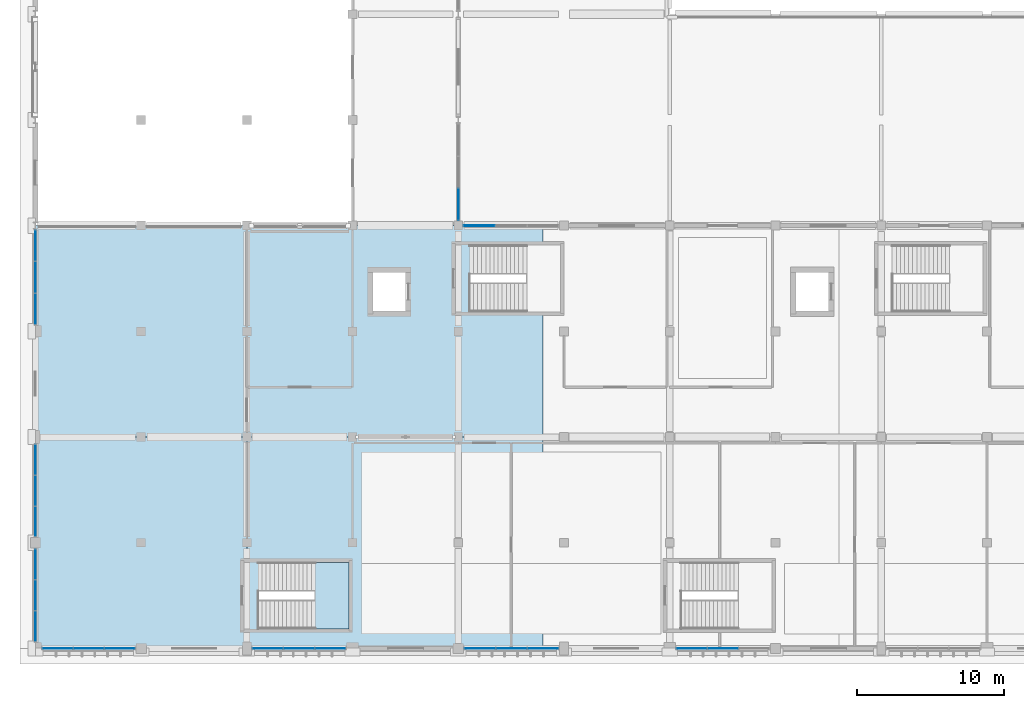
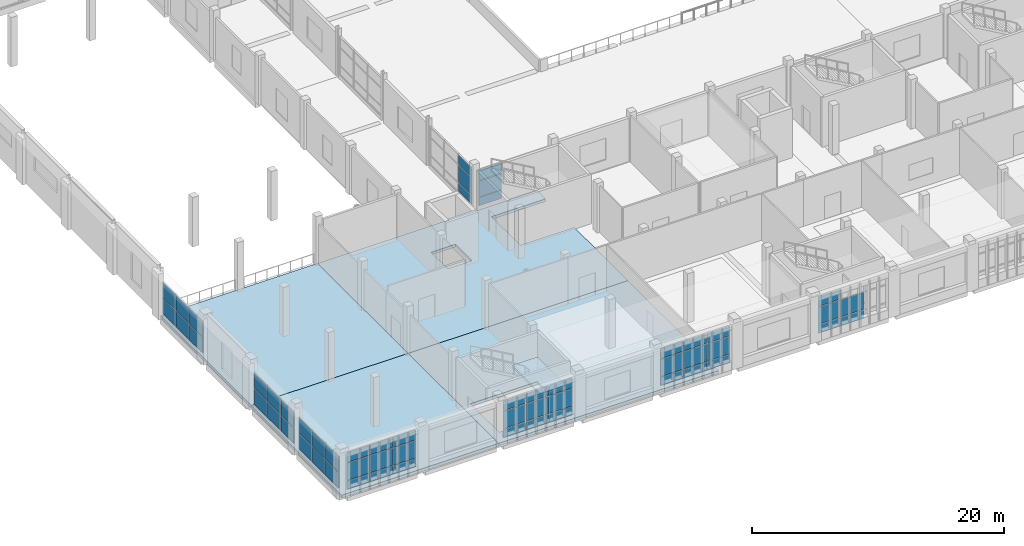
# One storey, part 45 of 82: 56 plates, 5 slabs, 10 elements without a shape of their own.
"""IFC4 building model written with IfcOpenShell, lengths in metres."""

from ifc_helpers import new_model, si_unit, direction, frame, origin, origin_2d, place, context, subcontext, project, spatial, polyline, rectangle, outline, extrude, material, layer, layer_set, type_object, element, aggregate, save


model = new_model("IFC4")

# Units and contexts
model_context = context("Model", 3, precision=1e-05, world=origin(), true_north=direction((0.0, 1.0)))
body_context = subcontext(model_context, "Body", "Model", "MODEL_VIEW")
ifc_project = project(units=[si_unit("LENGTHUNIT", "METRE"), si_unit("AREAUNIT", "SQUARE_METRE"), si_unit("VOLUMEUNIT", "CUBIC_METRE"), si_unit("PLANEANGLEUNIT", "RADIAN"), si_unit("MASSUNIT", "GRAM", prefix="KILO")], contexts=[model_context])

# Site, building, storey
site_placement = place(None, origin())
site = spatial("IfcSite", under=ifc_project, at=site_placement, CompositionType="ELEMENT")
building_placement = place(site_placement, origin())
building = spatial("IfcBuilding", under=site, at=building_placement, Name="Sardonyx Promenade Sports Hall", CompositionType="ELEMENT")
storey_placement = place(building_placement, frame((0.0, 0.0, 11.199951171875)))
storey = spatial("IfcBuildingStorey", under=building, at=storey_placement, Name="L02", CompositionType="ELEMENT", Elevation=11.199951171875)

# Curtain wall, plates
ifc_material_1 = material(Name="Aluminium 6063-T6", Category="aluminium")
curtain_wall_type_1 = type_object("IfcCurtainWallType", Name="CW_South_L02_640", PredefinedType="USERDEFINED", material=ifc_material_1)
curtain_wall_1_placement = place(storey_placement, origin())
curtain_wall_1 = element("IfcCurtainWall", 1, at=curtain_wall_1_placement, inside=storey, type_object=curtain_wall_type_1, Name="Curtain wall CW01 cw:L02:037", ObjectType="CURTAIN WALL", PredefinedType="USERDEFINED")
ifc_material_2 = material(Name="Double-glazed solar low-E IGU 28 mm", Category="glass")
ifc_layer_1 = layer(ifc_material_2, 0.028076171875)
ifc_layer_set_1 = layer_set([ifc_layer_1], Name="CW_Pan_Glz_28")
plate_type_1 = type_object("IfcPlateType", Name="CW_Pan_Glz_28", PredefinedType="CURTAIN_PANEL", material=ifc_layer_set_1)
plate_1_placement = place(storey_placement, frame((46.824951171875, 0.0, 0.4150390625), z_axis=(0.0, 0.0, 1.0), x_axis=(-1.0, 0.0, 0.0)))
plate_1 = element("IfcPlate", 2, at=plate_1_placement, type_object=plate_type_1, Name="Curtain panel CP01 cw:L02:037 #4", PredefinedType="CURTAIN_PANEL", context=body_context, shape_type="SweptSolid", body=[
    extrude(rectangle(XDim=2.050048828125, YDim=0.028076171875, at=origin_2d()), origin(), (0.0, 0.0, 1.0), 0.802490234375),
])
plate_2_placement = place(storey_placement, frame((46.824951171875, 0.0, 1.282470703125), z_axis=(0.0, 0.0, 1.0), x_axis=(-1.0, 0.0, 0.0)))
plate_2 = element("IfcPlate", 3, at=plate_2_placement, type_object=plate_type_1, Name="Curtain panel CP01 cw:L02:037 #5", PredefinedType="CURTAIN_PANEL", context=body_context, shape_type="SweptSolid", body=[
    extrude(rectangle(XDim=2.050048828125, YDim=0.028076171875, at=origin_2d()), origin(), (0.0, 0.0, 1.0), 1.68505859375),
])
plate_3_placement = place(storey_placement, frame((44.7099609375, 0.0, 0.4150390625), z_axis=(0.0, 0.0, 1.0), x_axis=(-1.0, 0.0, 0.0)))
plate_3 = element("IfcPlate", 4, at=plate_3_placement, type_object=plate_type_1, Name="Curtain panel CP01 cw:L02:037 #7", PredefinedType="CURTAIN_PANEL", context=body_context, shape_type="SweptSolid", body=[
    extrude(rectangle(XDim=2.050048828125, YDim=0.028076171875, at=origin_2d()), origin(), (0.0, 0.0, 1.0), 0.802490234375),
])
plate_4_placement = place(storey_placement, frame((44.7099609375, 0.0, 1.282470703125), z_axis=(0.0, 0.0, 1.0), x_axis=(-1.0, 0.0, 0.0)))
plate_4 = element("IfcPlate", 5, at=plate_4_placement, type_object=plate_type_1, Name="Curtain panel CP01 cw:L02:037 #8", PredefinedType="CURTAIN_PANEL", context=body_context, shape_type="SweptSolid", body=[
    extrude(rectangle(XDim=2.050048828125, YDim=0.028076171875, at=origin_2d()), origin(), (0.0, 0.0, 1.0), 1.68505859375),
])
plate_5_placement = place(storey_placement, frame((44.7099609375, 0.0, 3.03271484375), z_axis=(0.0, 0.0, 1.0), x_axis=(-1.0, 0.0, 0.0)))
plate_5 = element("IfcPlate", 6, at=plate_5_placement, type_object=plate_type_1, Name="Curtain panel CP01 cw:L02:037 #9", PredefinedType="CURTAIN_PANEL", context=body_context, shape_type="SweptSolid", body=[
    extrude(rectangle(XDim=2.050048828125, YDim=0.028076171875, at=origin_2d()), origin(), (0.0, 0.0, 1.0), 0.952392578125),
])
aggregate(curtain_wall_1, [plate_1, plate_2, plate_3, plate_4, plate_5])

curtain_wall_2_placement = place(storey_placement, origin())
curtain_wall_2 = element("IfcCurtainWall", 7, at=curtain_wall_2_placement, inside=storey, type_object=curtain_wall_type_1, Name="Curtain wall CW01 cw:L02:038", ObjectType="CURTAIN WALL", PredefinedType="USERDEFINED")
plate_6_placement = place(storey_placement, frame((34.5732421875, 0.0, 0.4150390625), z_axis=(0.0, 0.0, 1.0), x_axis=(-1.0, 0.0, 0.0)))
plate_6 = element("IfcPlate", 8, at=plate_6_placement, type_object=plate_type_1, Name="Curtain panel CP01 cw:L02:038 #1", PredefinedType="CURTAIN_PANEL", context=body_context, shape_type="SweptSolid", body=[
    extrude(rectangle(XDim=2.083251953125, YDim=0.028076171875, at=origin_2d()), origin(), (0.0, 0.0, 1.0), 0.802490234375),
])
plate_7_placement = place(storey_placement, frame((34.5732421875, 0.0, 1.282470703125), z_axis=(0.0, 0.0, 1.0), x_axis=(-1.0, 0.0, 0.0)))
plate_7 = element("IfcPlate", 9, at=plate_7_placement, type_object=plate_type_1, Name="Curtain panel CP01 cw:L02:038 #2", PredefinedType="CURTAIN_PANEL", context=body_context, shape_type="SweptSolid", body=[
    extrude(rectangle(XDim=2.083251953125, YDim=0.028076171875, at=origin_2d()), origin(), (0.0, 0.0, 1.0), 1.68505859375),
])
plate_8_placement = place(storey_placement, frame((34.5732421875, 0.0, 3.03271484375), z_axis=(0.0, 0.0, 1.0), x_axis=(-1.0, 0.0, 0.0)))
plate_8 = element("IfcPlate", 10, at=plate_8_placement, type_object=plate_type_1, Name="Curtain panel CP01 cw:L02:038 #3", PredefinedType="CURTAIN_PANEL", context=body_context, shape_type="SweptSolid", body=[
    extrude(rectangle(XDim=2.083251953125, YDim=0.028076171875, at=origin_2d()), origin(), (0.0, 0.0, 1.0), 0.952392578125),
])
plate_9_placement = place(storey_placement, frame((32.425048828125, 0.0, 0.4150390625), z_axis=(0.0, 0.0, 1.0), x_axis=(-1.0, 0.0, 0.0)))
plate_9 = element("IfcPlate", 11, at=plate_9_placement, type_object=plate_type_1, Name="Curtain panel CP01 cw:L02:038 #4", PredefinedType="CURTAIN_PANEL", context=body_context, shape_type="SweptSolid", body=[
    extrude(rectangle(XDim=2.083251953125, YDim=0.028076171875, at=origin_2d()), origin(), (0.0, 0.0, 1.0), 0.802490234375),
])
plate_10_placement = place(storey_placement, frame((32.425048828125, 0.0, 1.282470703125), z_axis=(0.0, 0.0, 1.0), x_axis=(-1.0, 0.0, 0.0)))
plate_10 = element("IfcPlate", 12, at=plate_10_placement, type_object=plate_type_1, Name="Curtain panel CP01 cw:L02:038 #5", PredefinedType="CURTAIN_PANEL", context=body_context, shape_type="SweptSolid", body=[
    extrude(rectangle(XDim=2.083251953125, YDim=0.028076171875, at=origin_2d()), origin(), (0.0, 0.0, 1.0), 1.68505859375),
])
plate_11_placement = place(storey_placement, frame((32.425048828125, 0.0, 3.03271484375), z_axis=(0.0, 0.0, 1.0), x_axis=(-1.0, 0.0, 0.0)))
plate_11 = element("IfcPlate", 13, at=plate_11_placement, type_object=plate_type_1, Name="Curtain panel CP01 cw:L02:038 #6", PredefinedType="CURTAIN_PANEL", context=body_context, shape_type="SweptSolid", body=[
    extrude(rectangle(XDim=2.083251953125, YDim=0.028076171875, at=origin_2d()), origin(), (0.0, 0.0, 1.0), 0.952392578125),
])
plate_12_placement = place(storey_placement, frame((30.276611328125, 0.0, 0.4150390625), z_axis=(0.0, 0.0, 1.0), x_axis=(-1.0, 0.0, 0.0)))
plate_12 = element("IfcPlate", 14, at=plate_12_placement, type_object=plate_type_1, Name="Curtain panel CP01 cw:L02:038 #7", PredefinedType="CURTAIN_PANEL", context=body_context, shape_type="SweptSolid", body=[
    extrude(rectangle(XDim=2.083251953125, YDim=0.028076171875, at=origin_2d()), origin(), (0.0, 0.0, 1.0), 0.802490234375),
])
plate_13_placement = place(storey_placement, frame((30.276611328125, 0.0, 1.282470703125), z_axis=(0.0, 0.0, 1.0), x_axis=(-1.0, 0.0, 0.0)))
plate_13 = element("IfcPlate", 15, at=plate_13_placement, type_object=plate_type_1, Name="Curtain panel CP01 cw:L02:038 #8", PredefinedType="CURTAIN_PANEL", context=body_context, shape_type="SweptSolid", body=[
    extrude(rectangle(XDim=2.083251953125, YDim=0.028076171875, at=origin_2d()), origin(), (0.0, 0.0, 1.0), 1.68505859375),
])
plate_14_placement = place(storey_placement, frame((30.276611328125, 0.0, 3.03271484375), z_axis=(0.0, 0.0, 1.0), x_axis=(-1.0, 0.0, 0.0)))
plate_14 = element("IfcPlate", 16, at=plate_14_placement, type_object=plate_type_1, Name="Curtain panel CP01 cw:L02:038 #9", PredefinedType="CURTAIN_PANEL", context=body_context, shape_type="SweptSolid", body=[
    extrude(rectangle(XDim=2.083251953125, YDim=0.028076171875, at=origin_2d()), origin(), (0.0, 0.0, 1.0), 0.952392578125),
])
aggregate(curtain_wall_2, [plate_6, plate_7, plate_8, plate_9, plate_10, plate_11, plate_12, plate_13, plate_14])

curtain_wall_3_placement = place(storey_placement, origin())
curtain_wall_3 = element("IfcCurtainWall", 17, at=curtain_wall_3_placement, inside=storey, type_object=curtain_wall_type_1, Name="Curtain wall CW01 cw:L02:039", ObjectType="CURTAIN WALL", PredefinedType="USERDEFINED")
plate_15_placement = place(storey_placement, frame((20.081787109375, 0.0, 0.4150390625), z_axis=(0.0, 0.0, 1.0), x_axis=(-1.0, 0.0, 0.0)))
plate_15 = element("IfcPlate", 18, at=plate_15_placement, type_object=plate_type_1, Name="Curtain panel CP01 cw:L02:039 #1", PredefinedType="CURTAIN_PANEL", context=body_context, shape_type="SweptSolid", body=[
    extrude(rectangle(XDim=2.066650390625, YDim=0.028076171875, at=origin_2d()), origin(), (0.0, 0.0, 1.0), 0.802490234375),
])
plate_16_placement = place(storey_placement, frame((20.081787109375, 0.0, 1.282470703125), z_axis=(0.0, 0.0, 1.0), x_axis=(-1.0, 0.0, 0.0)))
plate_16 = element("IfcPlate", 19, at=plate_16_placement, type_object=plate_type_1, Name="Curtain panel CP01 cw:L02:039 #2", PredefinedType="CURTAIN_PANEL", context=body_context, shape_type="SweptSolid", body=[
    extrude(rectangle(XDim=2.066650390625, YDim=0.028076171875, at=origin_2d()), origin(), (0.0, 0.0, 1.0), 1.68505859375),
])
plate_17_placement = place(storey_placement, frame((20.081787109375, 0.0, 3.03271484375), z_axis=(0.0, 0.0, 1.0), x_axis=(-1.0, 0.0, 0.0)))
plate_17 = element("IfcPlate", 20, at=plate_17_placement, type_object=plate_type_1, Name="Curtain panel CP01 cw:L02:039 #3", PredefinedType="CURTAIN_PANEL", context=body_context, shape_type="SweptSolid", body=[
    extrude(rectangle(XDim=2.066650390625, YDim=0.028076171875, at=origin_2d()), origin(), (0.0, 0.0, 1.0), 0.952392578125),
])
plate_18_placement = place(storey_placement, frame((17.949951171875, 0.0, 0.4150390625), z_axis=(0.0, 0.0, 1.0), x_axis=(-1.0, 0.0, 0.0)))
plate_18 = element("IfcPlate", 21, at=plate_18_placement, type_object=plate_type_1, Name="Curtain panel CP01 cw:L02:039 #4", PredefinedType="CURTAIN_PANEL", context=body_context, shape_type="SweptSolid", body=[
    extrude(rectangle(XDim=2.066650390625, YDim=0.028076171875, at=origin_2d()), origin(), (0.0, 0.0, 1.0), 0.802490234375),
])
plate_19_placement = place(storey_placement, frame((17.949951171875, 0.0, 1.282470703125), z_axis=(0.0, 0.0, 1.0), x_axis=(-1.0, 0.0, 0.0)))
plate_19 = element("IfcPlate", 22, at=plate_19_placement, type_object=plate_type_1, Name="Curtain panel CP01 cw:L02:039 #5", PredefinedType="CURTAIN_PANEL", context=body_context, shape_type="SweptSolid", body=[
    extrude(rectangle(XDim=2.066650390625, YDim=0.028076171875, at=origin_2d()), origin(), (0.0, 0.0, 1.0), 1.68505859375),
])
plate_20_placement = place(storey_placement, frame((17.949951171875, 0.0, 3.03271484375), z_axis=(0.0, 0.0, 1.0), x_axis=(-1.0, 0.0, 0.0)))
plate_20 = element("IfcPlate", 23, at=plate_20_placement, type_object=plate_type_1, Name="Curtain panel CP01 cw:L02:039 #6", PredefinedType="CURTAIN_PANEL", context=body_context, shape_type="SweptSolid", body=[
    extrude(rectangle(XDim=2.066650390625, YDim=0.028076171875, at=origin_2d()), origin(), (0.0, 0.0, 1.0), 0.952392578125),
])
plate_21_placement = place(storey_placement, frame((15.818359375, 0.0, 0.4150390625), z_axis=(0.0, 0.0, 1.0), x_axis=(-1.0, 0.0, 0.0)))
plate_21 = element("IfcPlate", 24, at=plate_21_placement, type_object=plate_type_1, Name="Curtain panel CP01 cw:L02:039 #7", PredefinedType="CURTAIN_PANEL", context=body_context, shape_type="SweptSolid", body=[
    extrude(rectangle(XDim=2.066650390625, YDim=0.028076171875, at=origin_2d()), origin(), (0.0, 0.0, 1.0), 0.802490234375),
])
plate_22_placement = place(storey_placement, frame((15.818359375, 0.0, 1.282470703125), z_axis=(0.0, 0.0, 1.0), x_axis=(-1.0, 0.0, 0.0)))
plate_22 = element("IfcPlate", 25, at=plate_22_placement, type_object=plate_type_1, Name="Curtain panel CP01 cw:L02:039 #8", PredefinedType="CURTAIN_PANEL", context=body_context, shape_type="SweptSolid", body=[
    extrude(rectangle(XDim=2.066650390625, YDim=0.028076171875, at=origin_2d()), origin(), (0.0, 0.0, 1.0), 1.68505859375),
])
plate_23_placement = place(storey_placement, frame((15.818359375, 0.0, 3.03271484375), z_axis=(0.0, 0.0, 1.0), x_axis=(-1.0, 0.0, 0.0)))
plate_23 = element("IfcPlate", 26, at=plate_23_placement, type_object=plate_type_1, Name="Curtain panel CP01 cw:L02:039 #9", PredefinedType="CURTAIN_PANEL", context=body_context, shape_type="SweptSolid", body=[
    extrude(rectangle(XDim=2.066650390625, YDim=0.028076171875, at=origin_2d()), origin(), (0.0, 0.0, 1.0), 0.952392578125),
])
aggregate(curtain_wall_3, [plate_15, plate_16, plate_17, plate_18, plate_19, plate_20, plate_21, plate_22, plate_23])

curtain_wall_4_placement = place(storey_placement, origin())
curtain_wall_4 = element("IfcCurtainWall", 27, at=curtain_wall_4_placement, inside=storey, type_object=curtain_wall_type_1, Name="Curtain wall CW01 cw:L02:040", ObjectType="CURTAIN WALL", PredefinedType="USERDEFINED")
plate_24_placement = place(storey_placement, frame((5.739990234375, 0.0, 0.4150390625), z_axis=(0.0, 0.0, 1.0), x_axis=(-1.0, 0.0, 0.0)))
plate_24 = element("IfcPlate", 28, at=plate_24_placement, type_object=plate_type_1, Name="Curtain panel CP01 cw:L02:040 #1", PredefinedType="CURTAIN_PANEL", context=body_context, shape_type="SweptSolid", body=[
    extrude(rectangle(XDim=2.050048828125, YDim=0.028076171875, at=origin_2d()), origin(), (0.0, 0.0, 1.0), 0.802490234375),
])
plate_25_placement = place(storey_placement, frame((5.739990234375, 0.0, 1.282470703125), z_axis=(0.0, 0.0, 1.0), x_axis=(-1.0, 0.0, 0.0)))
plate_25 = element("IfcPlate", 29, at=plate_25_placement, type_object=plate_type_1, Name="Curtain panel CP01 cw:L02:040 #2", PredefinedType="CURTAIN_PANEL", context=body_context, shape_type="SweptSolid", body=[
    extrude(rectangle(XDim=2.050048828125, YDim=0.028076171875, at=origin_2d()), origin(), (0.0, 0.0, 1.0), 1.68505859375),
])
plate_26_placement = place(storey_placement, frame((5.739990234375, 0.0, 3.03271484375), z_axis=(0.0, 0.0, 1.0), x_axis=(-1.0, 0.0, 0.0)))
plate_26 = element("IfcPlate", 30, at=plate_26_placement, type_object=plate_type_1, Name="Curtain panel CP01 cw:L02:040 #3", PredefinedType="CURTAIN_PANEL", context=body_context, shape_type="SweptSolid", body=[
    extrude(rectangle(XDim=2.050048828125, YDim=0.028076171875, at=origin_2d()), origin(), (0.0, 0.0, 1.0), 0.952392578125),
])
plate_27_placement = place(storey_placement, frame((3.625, 0.0, 0.4150390625), z_axis=(0.0, 0.0, 1.0), x_axis=(-1.0, 0.0, 0.0)))
plate_27 = element("IfcPlate", 31, at=plate_27_placement, type_object=plate_type_1, Name="Curtain panel CP01 cw:L02:040 #4", PredefinedType="CURTAIN_PANEL", context=body_context, shape_type="SweptSolid", body=[
    extrude(rectangle(XDim=2.050048828125, YDim=0.028076171875, at=origin_2d()), origin(), (0.0, 0.0, 1.0), 0.802490234375),
])
plate_28_placement = place(storey_placement, frame((3.625, 0.0, 1.282470703125), z_axis=(0.0, 0.0, 1.0), x_axis=(-1.0, 0.0, 0.0)))
plate_28 = element("IfcPlate", 32, at=plate_28_placement, type_object=plate_type_1, Name="Curtain panel CP01 cw:L02:040 #5", PredefinedType="CURTAIN_PANEL", context=body_context, shape_type="SweptSolid", body=[
    extrude(rectangle(XDim=2.050048828125, YDim=0.028076171875, at=origin_2d()), origin(), (0.0, 0.0, 1.0), 1.68505859375),
])
plate_29_placement = place(storey_placement, frame((3.625, 0.0, 3.03271484375), z_axis=(0.0, 0.0, 1.0), x_axis=(-1.0, 0.0, 0.0)))
plate_29 = element("IfcPlate", 33, at=plate_29_placement, type_object=plate_type_1, Name="Curtain panel CP01 cw:L02:040 #6", PredefinedType="CURTAIN_PANEL", context=body_context, shape_type="SweptSolid", body=[
    extrude(rectangle(XDim=2.050048828125, YDim=0.028076171875, at=origin_2d()), origin(), (0.0, 0.0, 1.0), 0.952392578125),
])
plate_30_placement = place(storey_placement, frame((1.510009765625, 0.0, 0.4150390625), z_axis=(0.0, 0.0, 1.0), x_axis=(-1.0, 0.0, 0.0)))
plate_30 = element("IfcPlate", 34, at=plate_30_placement, type_object=plate_type_1, Name="Curtain panel CP01 cw:L02:040 #7", PredefinedType="CURTAIN_PANEL", context=body_context, shape_type="SweptSolid", body=[
    extrude(rectangle(XDim=2.050048828125, YDim=0.028076171875, at=origin_2d()), origin(), (0.0, 0.0, 1.0), 0.802490234375),
])
plate_31_placement = place(storey_placement, frame((1.510009765625, 0.0, 1.282470703125), z_axis=(0.0, 0.0, 1.0), x_axis=(-1.0, 0.0, 0.0)))
plate_31 = element("IfcPlate", 35, at=plate_31_placement, type_object=plate_type_1, Name="Curtain panel CP01 cw:L02:040 #8", PredefinedType="CURTAIN_PANEL", context=body_context, shape_type="SweptSolid", body=[
    extrude(rectangle(XDim=2.050048828125, YDim=0.028076171875, at=origin_2d()), origin(), (0.0, 0.0, 1.0), 1.68505859375),
])
plate_32_placement = place(storey_placement, frame((1.510009765625, 0.0, 3.03271484375), z_axis=(0.0, 0.0, 1.0), x_axis=(-1.0, 0.0, 0.0)))
plate_32 = element("IfcPlate", 36, at=plate_32_placement, type_object=plate_type_1, Name="Curtain panel CP01 cw:L02:040 #9", PredefinedType="CURTAIN_PANEL", context=body_context, shape_type="SweptSolid", body=[
    extrude(rectangle(XDim=2.050048828125, YDim=0.028076171875, at=origin_2d()), origin(), (0.0, 0.0, 1.0), 0.952392578125),
])
aggregate(curtain_wall_4, [plate_24, plate_25, plate_26, plate_27, plate_28, plate_29, plate_30, plate_31, plate_32])

curtain_wall_5_placement = place(storey_placement, origin())
curtain_wall_5 = element("IfcCurtainWall", 37, at=curtain_wall_5_placement, inside=storey, type_object=curtain_wall_type_1, Name="Curtain wall CW01 cw:L02:154", ObjectType="CURTAIN WALL", PredefinedType="USERDEFINED")
plate_33_placement = place(storey_placement, frame((28.800048828125, 30.248291015625, 0.4150390625), z_axis=(0.0, 0.0, 1.0), x_axis=(0.0, -1.0, 0.0)))
plate_33 = element("IfcPlate", 38, at=plate_33_placement, type_object=plate_type_1, Name="Curtain panel CP01 cw:L02:154 #7", PredefinedType="CURTAIN_PANEL", context=body_context, shape_type="SweptSolid", body=[
    extrude(rectangle(XDim=2.126708984375, YDim=0.028076171875, at=origin_2d()), origin(), (0.0, 0.0, 1.0), 0.802490234375),
])
plate_34_placement = place(storey_placement, frame((28.800048828125, 30.248291015625, 1.282470703125), z_axis=(0.0, 0.0, 1.0), x_axis=(0.0, -1.0, 0.0)))
plate_34 = element("IfcPlate", 39, at=plate_34_placement, type_object=plate_type_1, Name="Curtain panel CP01 cw:L02:154 #8", PredefinedType="CURTAIN_PANEL", context=body_context, shape_type="SweptSolid", body=[
    extrude(rectangle(XDim=2.126708984375, YDim=0.028076171875, at=origin_2d()), origin(), (0.0, 0.0, 1.0), 1.68505859375),
])
plate_35_placement = place(storey_placement, frame((28.800048828125, 30.248291015625, 3.03271484375), z_axis=(0.0, 0.0, 1.0), x_axis=(0.0, -1.0, 0.0)))
plate_35 = element("IfcPlate", 40, at=plate_35_placement, type_object=plate_type_1, Name="Curtain panel CP01 cw:L02:154 #9", PredefinedType="CURTAIN_PANEL", context=body_context, shape_type="SweptSolid", body=[
    extrude(rectangle(XDim=2.126708984375, YDim=0.028076171875, at=origin_2d()), origin(), (0.0, 0.0, 1.0), 0.952392578125),
])
aggregate(curtain_wall_5, [plate_33, plate_34, plate_35])

ifc_material_3 = material(Name="Aluminium 6063-T6", Category="aluminium")
curtain_wall_type_2 = type_object("IfcCurtainWallType", Name="CW_Climb_Clerestory", PredefinedType="USERDEFINED", material=ifc_material_3)
curtain_wall_6_placement = place(storey_placement, origin())
curtain_wall_6 = element("IfcCurtainWall", 41, at=curtain_wall_6_placement, inside=storey, type_object=curtain_wall_type_2, Name="Curtain wall CW12 cw:L02:066", ObjectType="CURTAIN WALL", PredefinedType="USERDEFINED")
ifc_material_4 = material(Name="Laminated safety sports IGU 36 mm", Category="glass")
ifc_layer_2 = layer(ifc_material_4, 0.035888671875)
ifc_layer_set_2 = layer_set([ifc_layer_2], Name="CW_Pan_Glz_36")
plate_type_2 = type_object("IfcPlateType", Name="CW_Pan_Glz_36", PredefinedType="CURTAIN_PANEL", material=ifc_layer_set_2)
plate_36_placement = place(storey_placement, frame((0.0, 1.510009765625, 0.4150390625), z_axis=(0.0, 0.0, 1.0), x_axis=(0.0, 1.0, 0.0)))
plate_36 = element("IfcPlate", 42, at=plate_36_placement, type_object=plate_type_2, Name="Curtain panel CP03 cw:L02:066 #1", PredefinedType="CURTAIN_PANEL", context=body_context, shape_type="SweptSolid", body=[
    extrude(rectangle(XDim=2.050048828125, YDim=0.035888671875, at=origin_2d()), origin(), (0.0, 0.0, 1.0), 1.50244140625),
])
plate_37_placement = place(storey_placement, frame((0.0, 1.510009765625, 1.982666015625), z_axis=(0.0, 0.0, 1.0), x_axis=(0.0, 1.0, 0.0)))
plate_37 = element("IfcPlate", 43, at=plate_37_placement, type_object=plate_type_2, Name="Curtain panel CP03 cw:L02:066 #2", PredefinedType="CURTAIN_PANEL", context=body_context, shape_type="SweptSolid", body=[
    extrude(rectangle(XDim=2.050048828125, YDim=0.035888671875, at=origin_2d()), origin(), (0.0, 0.0, 1.0), 1.50244140625),
])
plate_38_placement = place(storey_placement, frame((0.0, 3.625, 0.4150390625), z_axis=(0.0, 0.0, 1.0), x_axis=(0.0, 1.0, 0.0)))
plate_38 = element("IfcPlate", 44, at=plate_38_placement, type_object=plate_type_2, Name="Curtain panel CP03 cw:L02:066 #3", PredefinedType="CURTAIN_PANEL", context=body_context, shape_type="SweptSolid", body=[
    extrude(rectangle(XDim=2.050048828125, YDim=0.035888671875, at=origin_2d()), origin(), (0.0, 0.0, 1.0), 1.50244140625),
])
plate_39_placement = place(storey_placement, frame((0.0, 3.625, 1.982666015625), z_axis=(0.0, 0.0, 1.0), x_axis=(0.0, 1.0, 0.0)))
plate_39 = element("IfcPlate", 45, at=plate_39_placement, type_object=plate_type_2, Name="Curtain panel CP03 cw:L02:066 #4", PredefinedType="CURTAIN_PANEL", context=body_context, shape_type="SweptSolid", body=[
    extrude(rectangle(XDim=2.050048828125, YDim=0.035888671875, at=origin_2d()), origin(), (0.0, 0.0, 1.0), 1.50244140625),
])
plate_40_placement = place(storey_placement, frame((0.0, 5.739990234375, 0.4150390625), z_axis=(0.0, 0.0, 1.0), x_axis=(0.0, 1.0, 0.0)))
plate_40 = element("IfcPlate", 46, at=plate_40_placement, type_object=plate_type_2, Name="Curtain panel CP03 cw:L02:066 #5", PredefinedType="CURTAIN_PANEL", context=body_context, shape_type="SweptSolid", body=[
    extrude(rectangle(XDim=2.050048828125, YDim=0.035888671875, at=origin_2d()), origin(), (0.0, 0.0, 1.0), 1.50244140625),
])
plate_41_placement = place(storey_placement, frame((0.0, 5.739990234375, 1.982666015625), z_axis=(0.0, 0.0, 1.0), x_axis=(0.0, 1.0, 0.0)))
plate_41 = element("IfcPlate", 47, at=plate_41_placement, type_object=plate_type_2, Name="Curtain panel CP03 cw:L02:066 #6", PredefinedType="CURTAIN_PANEL", context=body_context, shape_type="SweptSolid", body=[
    extrude(rectangle(XDim=2.050048828125, YDim=0.035888671875, at=origin_2d()), origin(), (0.0, 0.0, 1.0), 1.50244140625),
])
aggregate(curtain_wall_6, [plate_36, plate_37, plate_38, plate_39, plate_40, plate_41])

curtain_wall_7_placement = place(storey_placement, origin())
curtain_wall_7 = element("IfcCurtainWall", 48, at=curtain_wall_7_placement, inside=storey, type_object=curtain_wall_type_2, Name="Curtain wall CW12 cw:L02:067", ObjectType="CURTAIN WALL", PredefinedType="USERDEFINED")
plate_42_placement = place(storey_placement, frame((0.0, 8.651611328125, 0.4150390625), z_axis=(0.0, 0.0, 1.0), x_axis=(0.0, 1.0, 0.0)))
plate_42 = element("IfcPlate", 49, at=plate_42_placement, type_object=plate_type_2, Name="Curtain panel CP03 cw:L02:067 #1", PredefinedType="CURTAIN_PANEL", context=body_context, shape_type="SweptSolid", body=[
    extrude(rectangle(XDim=2.033447265625, YDim=0.035888671875, at=origin_2d()), origin(), (0.0, 0.0, 1.0), 1.50244140625),
])
plate_43_placement = place(storey_placement, frame((0.0, 8.651611328125, 1.982666015625), z_axis=(0.0, 0.0, 1.0), x_axis=(0.0, 1.0, 0.0)))
plate_43 = element("IfcPlate", 50, at=plate_43_placement, type_object=plate_type_2, Name="Curtain panel CP03 cw:L02:067 #2", PredefinedType="CURTAIN_PANEL", context=body_context, shape_type="SweptSolid", body=[
    extrude(rectangle(XDim=2.033447265625, YDim=0.035888671875, at=origin_2d()), origin(), (0.0, 0.0, 1.0), 1.50244140625),
])
plate_44_placement = place(storey_placement, frame((0.0, 10.75, 0.4150390625), z_axis=(0.0, 0.0, 1.0), x_axis=(0.0, 1.0, 0.0)))
plate_44 = element("IfcPlate", 51, at=plate_44_placement, type_object=plate_type_2, Name="Curtain panel CP03 cw:L02:067 #3", PredefinedType="CURTAIN_PANEL", context=body_context, shape_type="SweptSolid", body=[
    extrude(rectangle(XDim=2.033447265625, YDim=0.035888671875, at=origin_2d()), origin(), (0.0, 0.0, 1.0), 1.50244140625),
])
plate_45_placement = place(storey_placement, frame((0.0, 10.75, 1.982666015625), z_axis=(0.0, 0.0, 1.0), x_axis=(0.0, 1.0, 0.0)))
plate_45 = element("IfcPlate", 52, at=plate_45_placement, type_object=plate_type_2, Name="Curtain panel CP03 cw:L02:067 #4", PredefinedType="CURTAIN_PANEL", context=body_context, shape_type="SweptSolid", body=[
    extrude(rectangle(XDim=2.033447265625, YDim=0.035888671875, at=origin_2d()), origin(), (0.0, 0.0, 1.0), 1.50244140625),
])
plate_46_placement = place(storey_placement, frame((0.0, 12.848388671875, 0.4150390625), z_axis=(0.0, 0.0, 1.0), x_axis=(0.0, 1.0, 0.0)))
plate_46 = element("IfcPlate", 53, at=plate_46_placement, type_object=plate_type_2, Name="Curtain panel CP03 cw:L02:067 #5", PredefinedType="CURTAIN_PANEL", context=body_context, shape_type="SweptSolid", body=[
    extrude(rectangle(XDim=2.033447265625, YDim=0.035888671875, at=origin_2d()), origin(), (0.0, 0.0, 1.0), 1.50244140625),
])
plate_47_placement = place(storey_placement, frame((0.0, 12.848388671875, 1.982666015625), z_axis=(0.0, 0.0, 1.0), x_axis=(0.0, 1.0, 0.0)))
plate_47 = element("IfcPlate", 54, at=plate_47_placement, type_object=plate_type_2, Name="Curtain panel CP03 cw:L02:067 #6", PredefinedType="CURTAIN_PANEL", context=body_context, shape_type="SweptSolid", body=[
    extrude(rectangle(XDim=2.033447265625, YDim=0.035888671875, at=origin_2d()), origin(), (0.0, 0.0, 1.0), 1.50244140625),
])
aggregate(curtain_wall_7, [plate_42, plate_43, plate_44, plate_45, plate_46, plate_47])

curtain_wall_8_placement = place(storey_placement, origin())
curtain_wall_8 = element("IfcCurtainWall", 55, at=curtain_wall_8_placement, inside=storey, type_object=curtain_wall_type_2, Name="Curtain wall CW12 cw:L02:068", ObjectType="CURTAIN WALL", PredefinedType="USERDEFINED")
plate_48_placement = place(storey_placement, frame((0.0, 23.131591796875, 0.4150390625), z_axis=(0.0, 0.0, 1.0), x_axis=(0.0, 1.0, 0.0)))
plate_48 = element("IfcPlate", 56, at=plate_48_placement, type_object=plate_type_2, Name="Curtain panel CP03 cw:L02:068 #1", PredefinedType="CURTAIN_PANEL", context=body_context, shape_type="SweptSolid", body=[
    extrude(rectangle(XDim=2.09326171875, YDim=0.035888671875, at=origin_2d()), origin(), (0.0, 0.0, 1.0), 1.50244140625),
])
plate_49_placement = place(storey_placement, frame((0.0, 23.131591796875, 1.982666015625), z_axis=(0.0, 0.0, 1.0), x_axis=(0.0, 1.0, 0.0)))
plate_49 = element("IfcPlate", 57, at=plate_49_placement, type_object=plate_type_2, Name="Curtain panel CP03 cw:L02:068 #2", PredefinedType="CURTAIN_PANEL", context=body_context, shape_type="SweptSolid", body=[
    extrude(rectangle(XDim=2.09326171875, YDim=0.035888671875, at=origin_2d()), origin(), (0.0, 0.0, 1.0), 1.50244140625),
])
plate_50_placement = place(storey_placement, frame((0.0, 25.2900390625, 0.4150390625), z_axis=(0.0, 0.0, 1.0), x_axis=(0.0, 1.0, 0.0)))
plate_50 = element("IfcPlate", 58, at=plate_50_placement, type_object=plate_type_2, Name="Curtain panel CP03 cw:L02:068 #3", PredefinedType="CURTAIN_PANEL", context=body_context, shape_type="SweptSolid", body=[
    extrude(rectangle(XDim=2.09326171875, YDim=0.035888671875, at=origin_2d()), origin(), (0.0, 0.0, 1.0), 1.50244140625),
])
plate_51_placement = place(storey_placement, frame((0.0, 25.2900390625, 1.982666015625), z_axis=(0.0, 0.0, 1.0), x_axis=(0.0, 1.0, 0.0)))
plate_51 = element("IfcPlate", 59, at=plate_51_placement, type_object=plate_type_2, Name="Curtain panel CP03 cw:L02:068 #4", PredefinedType="CURTAIN_PANEL", context=body_context, shape_type="SweptSolid", body=[
    extrude(rectangle(XDim=2.09326171875, YDim=0.035888671875, at=origin_2d()), origin(), (0.0, 0.0, 1.0), 1.50244140625),
])
plate_52_placement = place(storey_placement, frame((0.0, 27.4482421875, 0.4150390625), z_axis=(0.0, 0.0, 1.0), x_axis=(0.0, 1.0, 0.0)))
plate_52 = element("IfcPlate", 60, at=plate_52_placement, type_object=plate_type_2, Name="Curtain panel CP03 cw:L02:068 #5", PredefinedType="CURTAIN_PANEL", context=body_context, shape_type="SweptSolid", body=[
    extrude(rectangle(XDim=2.09326171875, YDim=0.035888671875, at=origin_2d()), origin(), (0.0, 0.0, 1.0), 1.50244140625),
])
plate_53_placement = place(storey_placement, frame((0.0, 27.4482421875, 1.982666015625), z_axis=(0.0, 0.0, 1.0), x_axis=(0.0, 1.0, 0.0)))
plate_53 = element("IfcPlate", 61, at=plate_53_placement, type_object=plate_type_2, Name="Curtain panel CP03 cw:L02:068 #6", PredefinedType="CURTAIN_PANEL", context=body_context, shape_type="SweptSolid", body=[
    extrude(rectangle(XDim=2.09326171875, YDim=0.035888671875, at=origin_2d()), origin(), (0.0, 0.0, 1.0), 1.50244140625),
])
aggregate(curtain_wall_8, [plate_48, plate_49, plate_50, plate_51, plate_52, plate_53])

ifc_material_5 = material(Name="Aluminium 6063-T6", Category="aluminium")
curtain_wall_type_3 = type_object("IfcCurtainWallType", Name="CW_EastWing_L02", PredefinedType="USERDEFINED", material=ifc_material_5)
curtain_wall_9_placement = place(storey_placement, origin())
curtain_wall_9 = element("IfcCurtainWall", 62, at=curtain_wall_9_placement, inside=storey, type_object=curtain_wall_type_3, Name="Curtain wall CW09 cw:L02:158", ObjectType="CURTAIN WALL", PredefinedType="USERDEFINED")
ifc_material_6 = material(Name="Insulated aluminium spandrel panel 50 mm", Category="aluminium")
ifc_layer_3 = layer(ifc_material_6, 0.050048828125)
ifc_layer_set_3 = layer_set([ifc_layer_3], Name="CW_Pan_Spn_50")
plate_type_3 = type_object("IfcPlateType", Name="CW_Pan_Spn_50", PredefinedType="CURTAIN_PANEL", material=ifc_layer_set_3)
plate_54_placement = place(storey_placement, frame((30.2333984375, 28.800048828125, 0.409912109375), z_axis=(0.0, 0.0, 1.0), x_axis=(1.0, 0.0, 0.0)))
plate_54 = element("IfcPlate", 63, at=plate_54_placement, type_object=plate_type_3, Name="Curtain panel CP05 cw:L02:158 #1", PredefinedType="CURTAIN_PANEL", context=body_context, shape_type="SweptSolid", body=[
    extrude(rectangle(XDim=2.106689453125, YDim=0.050048828125, at=origin_2d()), origin(), (0.0, 0.0, 1.0), 0.81005859375),
])
plate_55_placement = place(storey_placement, frame((30.2333984375, 28.800048828125, 1.280029296875), z_axis=(0.0, 0.0, 1.0), x_axis=(1.0, 0.0, 0.0)))
plate_55 = element("IfcPlate", 64, at=plate_55_placement, type_object=plate_type_3, Name="Curtain panel CP05 cw:L02:158 #2", PredefinedType="CURTAIN_PANEL", context=body_context, shape_type="SweptSolid", body=[
    extrude(rectangle(XDim=2.106689453125, YDim=0.050048828125, at=origin_2d()), origin(), (0.0, 0.0, 1.0), 1.5400390625),
])
plate_56_placement = place(storey_placement, frame((30.2333984375, 28.800048828125, 2.880126953125), z_axis=(0.0, 0.0, 1.0), x_axis=(1.0, 0.0, 0.0)))
plate_56 = element("IfcPlate", 65, at=plate_56_placement, type_object=plate_type_3, Name="Curtain panel CP05 cw:L02:158 #3", PredefinedType="CURTAIN_PANEL", context=body_context, shape_type="SweptSolid", body=[
    extrude(rectangle(XDim=2.106689453125, YDim=0.050048828125, at=origin_2d()), origin(), (0.0, 0.0, 1.0), 0.9599609375),
])
aggregate(curtain_wall_9, [plate_54, plate_55, plate_56])

# Stair, slab
ifc_material_7 = material(Name="Concrete C40/50", Category="concrete")
stair_type = type_object("IfcStairType", Name="Stair_Esc_Mid_480", PredefinedType="HALF_TURN_STAIR", material=ifc_material_7)
stair_placement = place(storey_placement, origin())
stair = element("IfcStair", 66, at=stair_placement, inside=storey, type_object=stair_type, Name="Protected escape stair ST5 (L02 to L03)", PredefinedType="HALF_TURN_STAIR")
ifc_material_8 = material(Name="Concrete C40/50", Category="concrete")
ifc_layer_4 = layer(ifc_material_8, 0.239990234375)
ifc_layer_set_4 = layer_set([ifc_layer_4], Name="Land_Stair_240")
slab_type_1 = type_object("IfcSlabType", Name="Land_Stair_240", PredefinedType="LANDING", material=ifc_layer_set_4)
slab_1_placement = place(storey_placement, frame((0.0, 0.0, 2.16015625)))
slab_1 = element("IfcSlab", 67, at=slab_1_placement, type_object=slab_type_1, Name="Stair half-landing ST5 L02", PredefinedType="LANDING", context=body_context, shape_type="SweptSolid", body=[
    extrude(outline(polyline([(19.010009765625, 1.324951171875), (21.35009765625, 1.324951171875), (21.35009765625, 5.875), (19.010009765625, 5.875), (19.010009765625, 1.324951171875)])), origin(), (0.0, 0.0, 1.0), 0.239990234375),
])
aggregate(stair, [slab_1])

# Slabs
ifc_material_9 = material(Name="Concrete C40/50", Category="concrete")
ifc_layer_5 = layer(ifc_material_9, 0.2900390625)
ifc_layer_set_5 = layer_set([ifc_layer_5], Name="Slab_Ext_Loggia_220")
slab_type_2 = type_object("IfcSlabType", Name="Slab_Ext_Loggia_220", PredefinedType="FLOOR", material=ifc_layer_set_5)
slab_2_placement = place(storey_placement, frame((0.0, 0.0, -0.2900390625)))
element("IfcSlab", 68, at=slab_2_placement, inside=storey, type_object=slab_type_2, Name="Slab TS03 L02 #174", PredefinedType="FLOOR", context=body_context, shape_type="SweptSolid", body=[
    extrude(outline(polyline([(0.0, 0.0), (14.39990234375, 0.0), (14.39990234375, 14.39990234375), (0.0, 14.39990234375), (0.0, 0.0)])), origin(), (0.0, 0.0, 1.0), 0.2900390625),
])
slab_3_placement = place(storey_placement, frame((0.0, 0.0, -0.2900390625)))
element("IfcSlab", 69, at=slab_3_placement, inside=storey, type_object=slab_type_2, Name="Slab TS03 L02 #175", PredefinedType="FLOOR", context=body_context, shape_type="SweptSolid", body=[
    extrude(outline(polyline([(0.0, 14.39990234375), (14.39990234375, 14.39990234375), (14.39990234375, 28.800048828125), (0.0, 28.800048828125), (0.0, 14.39990234375)])), origin(), (0.0, 0.0, 1.0), 0.2900390625),
])
ifc_material_10 = material(Name="Concrete C40/50", Category="concrete")
ifc_layer_6 = layer(ifc_material_10, 0.27001953125)
ifc_layer_set_6 = layer_set([ifc_layer_6], Name="Slab_Floor_Studio_250")
slab_type_3 = type_object("IfcSlabType", Name="Slab_Floor_Studio_250", PredefinedType="FLOOR", material=ifc_layer_set_6)
slab_4_placement = place(storey_placement, frame((0.0, 0.0, -0.27001953125)))
element("IfcSlab", 70, at=slab_4_placement, inside=storey, type_object=slab_type_3, Name="Slab FS03 L02 #164", PredefinedType="FLOOR", context=body_context, shape_type="SweptSolid", body=[
    extrude(outline(polyline([(14.39990234375, 14.39990234375), (14.39990234375, 0.0), (34.56005859375, 0.0), (34.56005859375, 14.39990234375), (14.39990234375, 14.39990234375)]), holes=[polyline([(15.2099609375, 5.875), (21.35009765625, 5.875), (21.35009765625, 1.324951171875), (15.2099609375, 1.324951171875), (15.2099609375, 5.875)])]), origin(), (0.0, 0.0, 1.0), 0.27001953125),
])
slab_5_placement = place(storey_placement, frame((0.0, 0.0, -0.27001953125)))
element("IfcSlab", 71, at=slab_5_placement, inside=storey, type_object=slab_type_3, Name="Slab FS03 L02 #165", PredefinedType="FLOOR", context=body_context, shape_type="SweptSolid", body=[
    extrude(outline(polyline([(34.56005859375, 14.39990234375), (34.56005859375, 22.925048828125), (29.610107421875, 22.925048828125), (29.610107421875, 27.47509765625), (34.56005859375, 27.47509765625), (34.56005859375, 28.800048828125), (14.39990234375, 28.800048828125), (14.39990234375, 14.39990234375), (34.56005859375, 14.39990234375)]), holes=[polyline([(25.2099609375, 25.610107421875), (25.2099609375, 22.989990234375), (22.989990234375, 22.989990234375), (22.989990234375, 25.610107421875), (25.2099609375, 25.610107421875)])]), origin(), (0.0, 0.0, 1.0), 0.27001953125),
])

save(model, "model.ifc")
